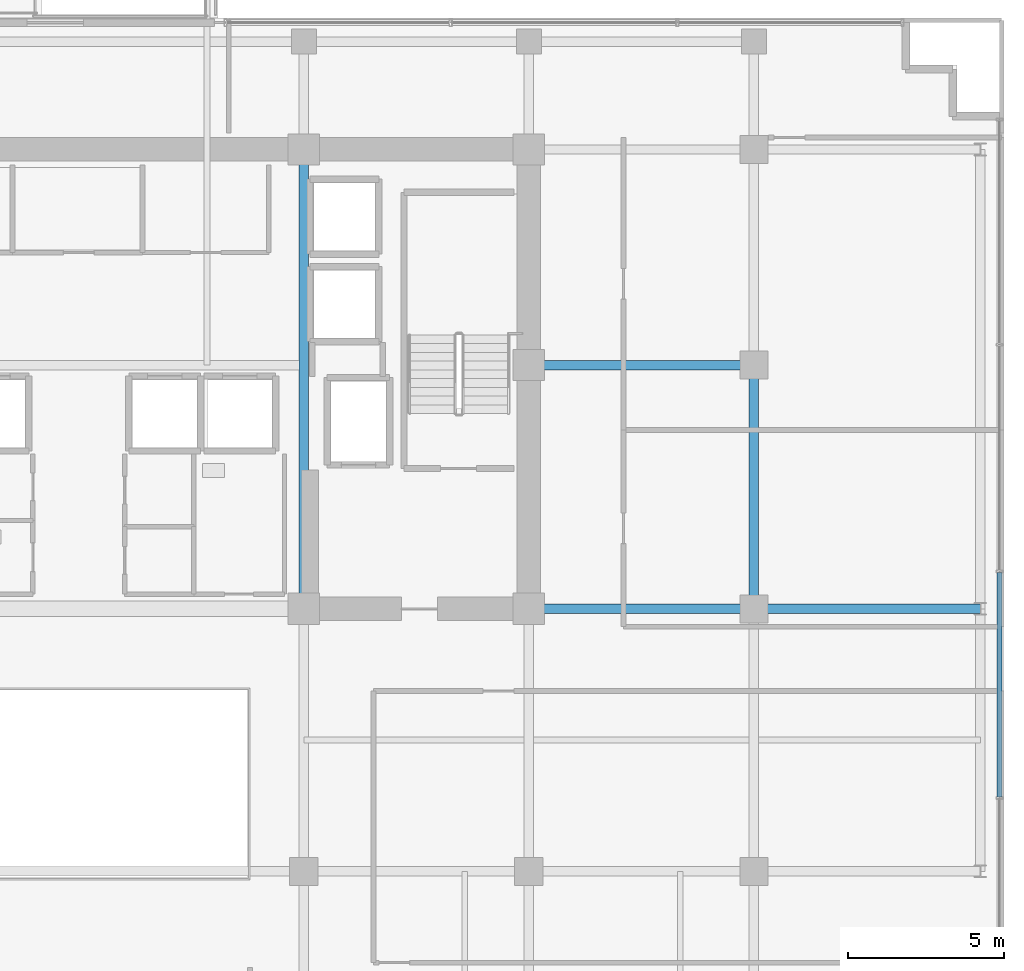
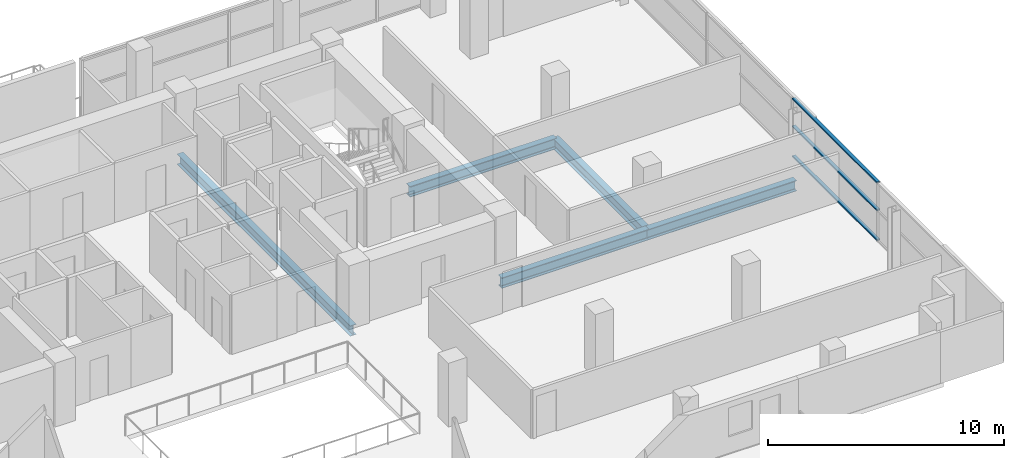
# One storey, part 8 of 23: 5 beams, 3 members, 1 element without a shape of its own.
"""IFC4 building model written with IfcOpenShell, lengths in metres."""

from ifc_helpers import new_model, si_unit, direction, frame, origin, origin_2d, place, context, subcontext, project, spatial, hollow_rectangle, i_section, extrude, source, transform, mapped, material, layer, layer_set, material_profile, profile_set, type_object, element, aggregate, save


model = new_model("IFC4")

# Units and contexts
model_context = context("Model", 3, precision=1e-05, world=origin(), true_north=direction((0.0, 1.0)))
body_context = subcontext(model_context, "Body", "Model", "MODEL_VIEW")
ifc_project = project(units=[si_unit("LENGTHUNIT", "METRE"), si_unit("AREAUNIT", "SQUARE_METRE"), si_unit("VOLUMEUNIT", "CUBIC_METRE"), si_unit("PLANEANGLEUNIT", "RADIAN"), si_unit("MASSUNIT", "GRAM", prefix="KILO")], contexts=[model_context])

# Site, building, storey
site_placement = place(None, origin())
site = spatial("IfcSite", under=ifc_project, at=site_placement, CompositionType="ELEMENT")
building_placement = place(site_placement, origin())
building = spatial("IfcBuilding", under=site, at=building_placement, Name="Zarnakvel Exchange Tower", CompositionType="ELEMENT")
storey_placement = place(building_placement, frame((0.0, 0.0, 116.5)))
storey = spatial("IfcBuildingStorey", under=building, at=storey_placement, Name="L32", CompositionType="ELEMENT", Elevation=116.5)

# Beams
ifc_material_1 = material(Name="Steel S355", Category="steel")
ifc_material_profile_1 = material_profile(ifc_material_1, i_section(OverallWidth=0.300048828125, OverallDepth=0.550048828125, WebThickness=0.014892578125, FlangeThickness=0.029052734375, FilletRadius=0.027099609375, at=origin_2d()))
ifc_profile_set_1 = profile_set([ifc_material_profile_1], Name="Steel S355")
beam_type = type_object("IfcBeamType", Name="G-05", PredefinedType="BEAM", material=ifc_profile_set_1)
beam_1_placement = place(storey_placement, frame((14.39990234375, -1.199951171875, -0.5), z_axis=(1.0, 0.0, 0.0), x_axis=(0.0, 1.0, 0.0)))
element("IfcBeam", 1, at=beam_1_placement, inside=storey, type_object=beam_type, Name="L32 Tower E-W Frame Beam", PredefinedType="BEAM", context=body_context, shape_type="SweptSolid", body=[
    extrude(i_section(OverallWidth=0.300048828125, OverallDepth=0.550048828125, WebThickness=0.014892578125, FlangeThickness=0.029052734375, FilletRadius=0.027099609375, at=origin_2d()), origin(), (0.0, 0.0, 1.0), 7.2001953125),
])
beam_2_placement = place(storey_placement, frame((21.60009765625, -1.199951171875, -0.5), z_axis=(1.0, 0.0, 0.0), x_axis=(0.0, 1.0, 0.0)))
element("IfcBeam", 2, at=beam_2_placement, inside=storey, type_object=beam_type, Name="L32 Tower E-W Frame Beam", PredefinedType="BEAM", context=body_context, shape_type="SweptSolid", body=[
    extrude(i_section(OverallWidth=0.300048828125, OverallDepth=0.550048828125, WebThickness=0.014892578125, FlangeThickness=0.029052734375, FilletRadius=0.027099609375, at=origin_2d()), origin(), (0.0, 0.0, 1.0), 7.25),
])
beam_3_placement = place(storey_placement, frame((14.39990234375, 6.60009765625, -0.5), z_axis=(1.0, 0.0, 0.0), x_axis=(0.0, 1.0, 0.0)))
element("IfcBeam", 3, at=beam_3_placement, inside=storey, type_object=beam_type, Name="L32 Tower E-W Frame Beam", PredefinedType="BEAM", context=body_context, shape_type="SweptSolid", body=[
    extrude(i_section(OverallWidth=0.300048828125, OverallDepth=0.550048828125, WebThickness=0.014892578125, FlangeThickness=0.029052734375, FilletRadius=0.027099609375, at=origin_2d()), origin(), (0.0, 0.0, 1.0), 7.2001953125),
])
beam_4_placement = place(storey_placement, frame((7.199951171875, -1.199951171875, -0.5), z_axis=(0.0, 1.0, 0.0), x_axis=(-1.0, 0.0, 0.0)))
element("IfcBeam", 4, at=beam_4_placement, inside=storey, type_object=beam_type, Name="L32 Tower N-S Frame Beam", PredefinedType="BEAM", context=body_context, shape_type="SweptSolid", body=[
    extrude(i_section(OverallWidth=0.300048828125, OverallDepth=0.550048828125, WebThickness=0.014892578125, FlangeThickness=0.029052734375, FilletRadius=0.027099609375, at=origin_2d()), origin(), (0.0, 0.0, 1.0), 14.699951171875),
])
beam_5_placement = place(storey_placement, frame((21.60009765625, -1.199951171875, -0.5), z_axis=(0.0, 1.0, 0.0), x_axis=(-1.0, 0.0, 0.0)))
element("IfcBeam", 5, at=beam_5_placement, inside=storey, type_object=beam_type, Name="L32 Tower N-S Frame Beam", PredefinedType="BEAM", context=body_context, shape_type="SweptSolid", body=[
    extrude(i_section(OverallWidth=0.300048828125, OverallDepth=0.550048828125, WebThickness=0.014892578125, FlangeThickness=0.029052734375, FilletRadius=0.027099609375, at=origin_2d()), origin(), (0.0, 0.0, 1.0), 7.800048828125),
])

# Curtain wall, members
ifc_material_2 = material(Name="Architectural Bronze Anodised Aluminium", Category="aluminium")
ifc_layer = layer(ifc_material_2, 0.199951171875)
ifc_layer_set = layer_set([ifc_layer], Name="Architectural Bronze Anodised Aluminium")
curtain_wall_type = type_object("IfcCurtainWallType", Name="CW-04", PredefinedType="NOTDEFINED", material=ifc_layer_set)
curtain_wall_placement = place(storey_placement, origin())
curtain_wall = element("IfcCurtainWall", 6, at=curtain_wall_placement, inside=storey, type_object=curtain_wall_type, Name="L32 Curtain Wall CW-L32-E1 (CW-04)", PredefinedType="NOTDEFINED")
ifc_material_profile_2 = material_profile(ifc_material_2, hollow_rectangle(XDim=0.159912109375, YDim=0.074951171875, WallThickness=0.00390625, at=origin_2d()))
ifc_profile_set_2 = profile_set([ifc_material_profile_2], Name="Architectural Bronze Anodised Aluminium")
member_type = type_object("IfcMemberType", Name="CWT-04", PredefinedType="USERDEFINED", material=ifc_profile_set_2)
shared_shape = source(origin(), body_context, "Body", "SweptSolid", [
    extrude(hollow_rectangle(XDim=0.159912109375, YDim=0.074951171875, WallThickness=0.00390625, at=origin_2d()), origin(), (0.0, 0.0, 1.0), 7.1748046875),
])
member_1_placement = place(storey_placement, frame((29.4599609375, -7.21240234375, 0.03759765625), z_axis=(0.0, 1.0, 0.0), x_axis=(-1.0, 0.0, 0.0)))
member_1 = element("IfcMember", 7, at=member_1_placement, type_object=member_type, Name="CW-04 transom 2.1", ObjectType="TRANSOM", PredefinedType="USERDEFINED", context=body_context, shape_type="MappedRepresentation", body=[
    mapped(shared_shape, transform((0.0, 0.0, 0.0), x_axis=(1.0, 0.0, 0.0), y_axis=(0.0, 1.0, 0.0), z_axis=(0.0, 0.0, 1.0), scale=1.0)),
])
member_2_placement = place(storey_placement, frame((29.4599609375, -7.21240234375, 1.588623046875), z_axis=(0.0, 1.0, 0.0), x_axis=(-1.0, 0.0, 0.0)))
member_2 = element("IfcMember", 8, at=member_2_placement, type_object=member_type, Name="CW-04 transom 2.2", ObjectType="TRANSOM", PredefinedType="USERDEFINED", context=body_context, shape_type="MappedRepresentation", body=[
    mapped(shared_shape, transform((0.0, 0.0, 0.0), x_axis=(1.0, 0.0, 0.0), y_axis=(0.0, 1.0, 0.0), z_axis=(0.0, 0.0, 1.0), scale=1.0)),
])
member_3_placement = place(storey_placement, frame((29.4599609375, -7.21240234375, 3.017578125), z_axis=(0.0, 1.0, 0.0), x_axis=(-1.0, 0.0, 0.0)))
member_3 = element("IfcMember", 9, at=member_3_placement, type_object=member_type, Name="CW-04 transom 2.3", ObjectType="TRANSOM", PredefinedType="USERDEFINED", context=body_context, shape_type="MappedRepresentation", body=[
    mapped(shared_shape, transform((0.0, 0.0, 0.0), x_axis=(1.0, 0.0, 0.0), y_axis=(0.0, 1.0, 0.0), z_axis=(0.0, 0.0, 1.0), scale=1.0)),
])
aggregate(curtain_wall, [member_1, member_2, member_3])

save(model, "model.ifc")
